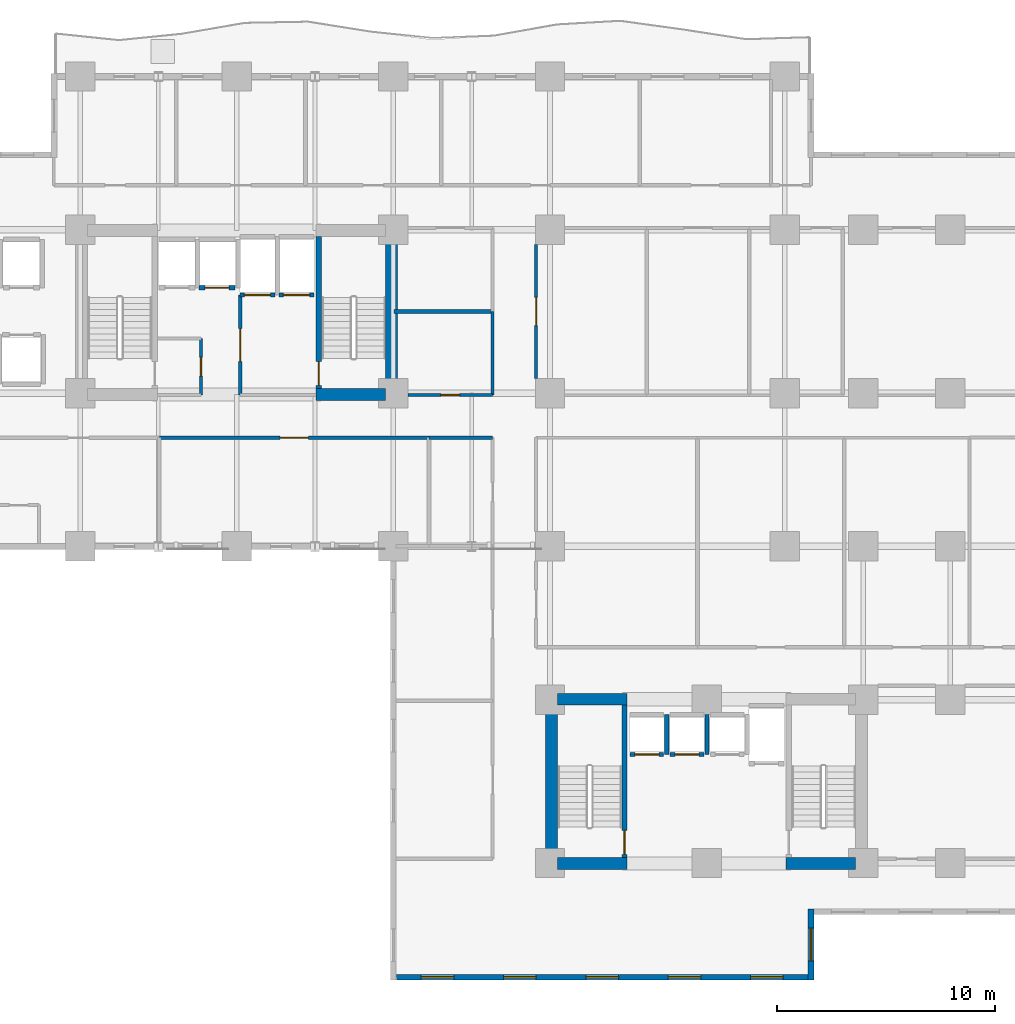
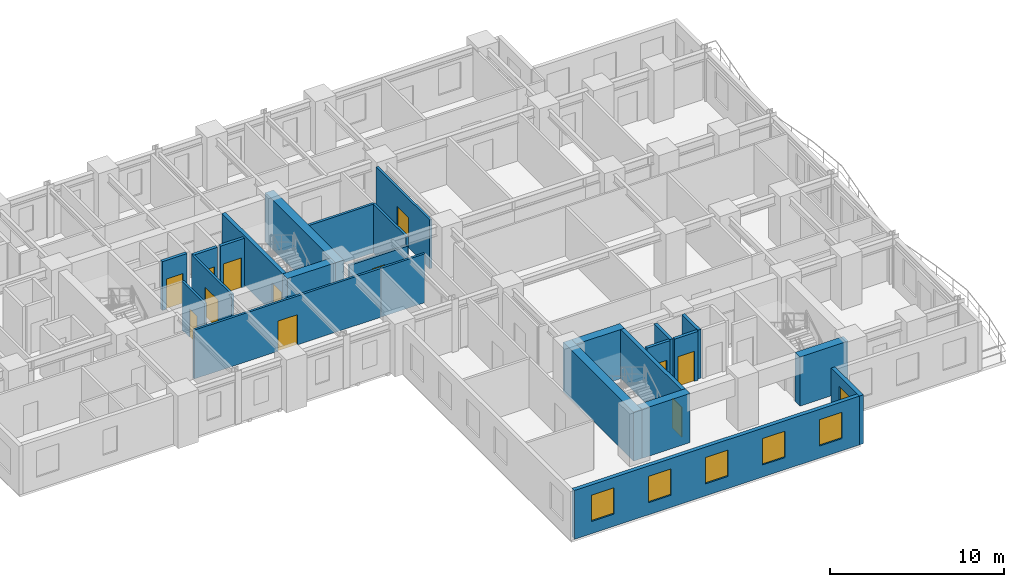
# One storey, part 4 of 11: 25 walls, 12 doors, 6 windows, 18 openings.
"""IFC4 building model written with IfcOpenShell, lengths in metres."""

from ifc_helpers import new_model, si_unit, direction, frame, frame_2d, origin, place, context, subcontext, project, spatial, rectangle, extrude, material, layer, layer_set, type_object, element, fill, save


model = new_model("IFC4")

# Units and contexts
model_context = context("Model", 3, precision=1e-05, world=origin(), true_north=direction((0.0, 1.0)))
body_context = subcontext(model_context, "Body", "Model", "MODEL_VIEW")
ifc_project = project(units=[si_unit("LENGTHUNIT", "METRE"), si_unit("AREAUNIT", "SQUARE_METRE"), si_unit("VOLUMEUNIT", "CUBIC_METRE"), si_unit("PLANEANGLEUNIT", "RADIAN"), si_unit("MASSUNIT", "GRAM", prefix="KILO")], contexts=[model_context])

# Site, building, storey
site_placement = place(None, origin())
site = spatial("IfcSite", under=ifc_project, at=site_placement, CompositionType="ELEMENT")
building_placement = place(site_placement, origin())
building = spatial("IfcBuilding", under=site, at=building_placement, Name="Kaliganga Portal Commons", CompositionType="ELEMENT")
storey_placement = place(building_placement, frame((0.0, 0.0, 58.60009765625)))
storey = spatial("IfcBuildingStorey", under=building, at=storey_placement, Name="L14", CompositionType="ELEMENT", Elevation=58.60009765625)

# Walls
ifc_material_1 = material(Name="Concrete C60/75", Category="concrete")
ifc_layer_1 = layer(ifc_material_1, 0.550048828125)
ifc_layer_set_1 = layer_set([ifc_layer_1], Name="Concrete C60/75")
wall_type_1 = type_object("IfcWallType", Name="WL-CORE-550", PredefinedType="SHEAR", material=ifc_layer_set_1)
wall_1_placement = place(storey_placement, frame((28.72509765625, 28.300048828125, 0.0), z_axis=(0.0, 0.0, 1.0), x_axis=(0.0, 1.0, 0.0)))
element("IfcWall", 1, at=wall_1_placement, inside=storey, type_object=wall_type_1, Name="Core A East Shear Wall L14", PredefinedType="SHEAR", context=body_context, shape_type="SweptSolid", body=[
    extrude(rectangle(XDim=8.099853515625, YDim=0.550048828125, at=frame_2d((4.0498046875, 0.0))), origin(), (0.0, 0.0, 1.0), 3.449951171875),
])
wall_2_placement = place(storey_placement, frame((25.25, 28.574951171875, 0.0), z_axis=(0.0, 0.0, 1.0), x_axis=(1.0, 0.0, 0.0)))
element("IfcWall", 2, at=wall_2_placement, inside=storey, type_object=wall_type_1, Name="Core A S-East Shear Wall L14", PredefinedType="SHEAR", context=body_context, shape_type="SweptSolid", body=[
    extrude(rectangle(XDim=3.199951171875, YDim=0.550048828125, at=frame_2d((1.60009765625, 0.0))), origin(), (0.0, 0.0, 1.0), 3.449951171875),
])
wall_3_placement = place(storey_placement, frame((36.074951171875, 6.75, 0.0), z_axis=(0.0, 0.0, 1.0), x_axis=(0.0, 1.0, 0.0)))
element("IfcWall", 3, at=wall_3_placement, inside=storey, type_object=wall_type_1, Name="Core B West Shear Wall L14", PredefinedType="SHEAR", context=body_context, shape_type="SweptSolid", body=[
    extrude(rectangle(XDim=8.10009765625, YDim=0.550048828125, at=frame_2d((4.050048828125, 0.0))), origin(), (0.0, 0.0, 1.0), 3.449951171875),
])
for number, where, z_axis, x_axis, name in (
    (4, (36.35009765625, 7.02490234375, 0.0), (0.0, 0.0, 1.0), (1.0, 0.0, 0.0), "Core B S-West Shear Wall L14"),
    (5, (46.85009765625, 7.02490234375, 0.0), (0.0, 0.0, 1.0), (1.0, 0.0, 0.0), "Core B S-East Shear Wall L14"),
    (6, (36.35009765625, 14.574951171875, 0.0), (0.0, 0.0, 1.0), (1.0, 0.0, 0.0), "Core B N-West Shear Wall L14"),
):
    element("IfcWall", number, at=place(storey_placement, frame(where, z_axis=z_axis, x_axis=x_axis)), inside=storey, type_object=wall_type_1, Name=name, PredefinedType="SHEAR", context=body_context, shape_type="SweptSolid", body=[
        extrude(rectangle(XDim=3.199951171875, YDim=0.550048828125, at=frame_2d((1.60009765625, 0.0))), origin(), (0.0, 0.0, 1.0), 3.449951171875),
    ])

# Wall, openings, windows
ifc_material_2 = material(Name="Insulated Aluminium-Clad Spandrel Assembly", Category="aluminium")
ifc_layer_2 = layer(ifc_material_2, 0.260009765625)
ifc_layer_set_2 = layer_set([ifc_layer_2], Name="Insulated Aluminium-Clad Spandrel Assembly")
wall_type_2 = type_object("IfcWallType", Name="WL-EXT-SPAND-260", PredefinedType="STANDARD", material=ifc_layer_set_2)
wall_4_placement = place(storey_placement, frame((47.864990234375, 1.800048828125, 0.0), z_axis=(0.0, 0.0, 1.0), x_axis=(-1.0, 0.0, 0.0)))
wall_4 = element("IfcWall", 7, at=wall_4_placement, inside=storey, type_object=wall_type_2, Name="Exterior Envelope Wall L14 P1-E00-S1", PredefinedType="STANDARD", context=body_context, shape_type="SweptSolid", body=[
    extrude(rectangle(XDim=18.929931640625, YDim=0.260009765625, at=frame_2d((9.46484375, 0.0))), origin(), (0.0, 0.0, 1.0), 3.429931640625),
])
opening_1_placement = place(wall_4_placement, frame((1.14306640625, 0.0, 0.85009765625)))
opening_1 = element("IfcOpeningElement", 8, at=opening_1_placement, cuts=wall_4, Name="Opening W-02", PredefinedType="OPENING", context=body_context, shape_type="SweptSolid", body=[
    extrude(rectangle(XDim=1.5, YDim=1.85009765625, at=frame_2d((0.75, 0.925048828125))), frame((0.0, 0.14013671875, 0.0), z_axis=(0.0, -1.0, 0.0), x_axis=(1.0, 0.0, 0.0)), (0.0, 0.0, 1.0), 0.280029296875),
])
opening_2_placement = place(wall_4_placement, frame((4.928955078125, 0.0, 0.85009765625)))
opening_2 = element("IfcOpeningElement", 9, at=opening_2_placement, cuts=wall_4, Name="Opening W-02", PredefinedType="OPENING", context=body_context, shape_type="SweptSolid", body=[
    extrude(rectangle(XDim=1.5, YDim=1.85009765625, at=frame_2d((0.75, 0.925048828125))), frame((0.0, 0.14013671875, 0.0), z_axis=(0.0, -1.0, 0.0), x_axis=(1.0, 0.0, 0.0)), (0.0, 0.0, 1.0), 0.280029296875),
])
opening_3_placement = place(wall_4_placement, frame((8.715087890625, 0.0, 0.85009765625)))
opening_3 = element("IfcOpeningElement", 10, at=opening_3_placement, cuts=wall_4, Name="Opening W-02", PredefinedType="OPENING", context=body_context, shape_type="SweptSolid", body=[
    extrude(rectangle(XDim=1.5, YDim=1.85009765625, at=frame_2d((0.75, 0.925048828125))), frame((0.0, 0.14013671875, 0.0), z_axis=(0.0, -1.0, 0.0), x_axis=(1.0, 0.0, 0.0)), (0.0, 0.0, 1.0), 0.280029296875),
])
opening_4_placement = place(wall_4_placement, frame((12.5009765625, 0.0, 0.85009765625)))
opening_4 = element("IfcOpeningElement", 11, at=opening_4_placement, cuts=wall_4, Name="Opening W-02", PredefinedType="OPENING", context=body_context, shape_type="SweptSolid", body=[
    extrude(rectangle(XDim=1.5, YDim=1.85009765625, at=frame_2d((0.75, 0.925048828125))), frame((0.0, 0.14013671875, 0.0), z_axis=(0.0, -1.0, 0.0), x_axis=(1.0, 0.0, 0.0)), (0.0, 0.0, 1.0), 0.280029296875),
])
opening_5_placement = place(wall_4_placement, frame((16.287109375, 0.0, 0.85009765625)))
opening_5 = element("IfcOpeningElement", 12, at=opening_5_placement, cuts=wall_4, Name="Opening W-02", PredefinedType="OPENING", context=body_context, shape_type="SweptSolid", body=[
    extrude(rectangle(XDim=1.5, YDim=1.85009765625, at=frame_2d((0.75, 0.925048828125))), frame((0.0, 0.14013671875, 0.0), z_axis=(0.0, -1.0, 0.0), x_axis=(1.0, 0.0, 0.0)), (0.0, 0.0, 1.0), 0.280029296875),
])
ifc_material_3 = material(Name="Thermally Broken Aluminium and Low-E Double Glazing", Category="aluminium")
window_type = type_object("IfcWindowType", Name="WIN-STD-1500", PartitioningType="DOUBLE_PANEL_VERTICAL", PredefinedType="WINDOW", material=ifc_material_3)
window_1_placement = place(opening_1_placement, origin())
window_1 = element("IfcWindow", 13, at=window_1_placement, inside=storey, type_object=window_type, Name="Facade Window L14-P1E00S1-00", OverallHeight=1.85009765625, OverallWidth=1.5, PartitioningType="SINGLE_PANEL", PredefinedType="WINDOW", context=body_context, shape_type="SweptSolid", body=[
    extrude(rectangle(XDim=1.5, YDim=1.85009765625, at=frame_2d((0.75, 0.925048828125))), frame((0.0, 0.030029296875, 0.0), z_axis=(0.0, -1.0, 0.0), x_axis=(1.0, 0.0, 0.0)), (0.0, 0.0, 1.0), 0.06005859375),
])
fill(opening_1, window_1)
window_2_placement = place(opening_2_placement, origin())
window_2 = element("IfcWindow", 14, at=window_2_placement, inside=storey, type_object=window_type, Name="Facade Window L14-P1E00S1-01", OverallHeight=1.85009765625, OverallWidth=1.5, PartitioningType="SINGLE_PANEL", PredefinedType="WINDOW", context=body_context, shape_type="SweptSolid", body=[
    extrude(rectangle(XDim=1.5, YDim=1.85009765625, at=frame_2d((0.75, 0.925048828125))), frame((0.0, 0.030029296875, 0.0), z_axis=(0.0, -1.0, 0.0), x_axis=(1.0, 0.0, 0.0)), (0.0, 0.0, 1.0), 0.06005859375),
])
fill(opening_2, window_2)
window_3_placement = place(opening_3_placement, origin())
window_3 = element("IfcWindow", 15, at=window_3_placement, inside=storey, type_object=window_type, Name="Facade Window L14-P1E00S1-02", OverallHeight=1.85009765625, OverallWidth=1.5, PartitioningType="SINGLE_PANEL", PredefinedType="WINDOW", context=body_context, shape_type="SweptSolid", body=[
    extrude(rectangle(XDim=1.5, YDim=1.85009765625, at=frame_2d((0.75, 0.925048828125))), frame((0.0, 0.030029296875, 0.0), z_axis=(0.0, -1.0, 0.0), x_axis=(1.0, 0.0, 0.0)), (0.0, 0.0, 1.0), 0.06005859375),
])
fill(opening_3, window_3)
window_4_placement = place(opening_4_placement, origin())
window_4 = element("IfcWindow", 16, at=window_4_placement, inside=storey, type_object=window_type, Name="Facade Window L14-P1E00S1-03", OverallHeight=1.85009765625, OverallWidth=1.5, PartitioningType="SINGLE_PANEL", PredefinedType="WINDOW", context=body_context, shape_type="SweptSolid", body=[
    extrude(rectangle(XDim=1.5, YDim=1.85009765625, at=frame_2d((0.75, 0.925048828125))), frame((0.0, 0.030029296875, 0.0), z_axis=(0.0, -1.0, 0.0), x_axis=(1.0, 0.0, 0.0)), (0.0, 0.0, 1.0), 0.06005859375),
])
fill(opening_4, window_4)
window_5_placement = place(opening_5_placement, origin())
window_5 = element("IfcWindow", 17, at=window_5_placement, inside=storey, type_object=window_type, Name="Facade Window L14-P1E00S1-04", OverallHeight=1.85009765625, OverallWidth=1.5, PartitioningType="SINGLE_PANEL", PredefinedType="WINDOW", context=body_context, shape_type="SweptSolid", body=[
    extrude(rectangle(XDim=1.5, YDim=1.85009765625, at=frame_2d((0.75, 0.925048828125))), frame((0.0, 0.030029296875, 0.0), z_axis=(0.0, -1.0, 0.0), x_axis=(1.0, 0.0, 0.0)), (0.0, 0.0, 1.0), 0.06005859375),
])
fill(opening_5, window_5)

# Wall, opening, window
wall_5_placement = place(storey_placement, frame((48.0, 4.929931640625, 0.0), z_axis=(0.0, 0.0, 1.0), x_axis=(0.0, -1.0, 0.0)))
wall_5 = element("IfcWall", 18, at=wall_5_placement, inside=storey, type_object=wall_type_2, Name="Exterior Envelope Wall L14 P1-E01-S1", PredefinedType="STANDARD", context=body_context, shape_type="SweptSolid", body=[
    extrude(rectangle(XDim=3.260009765625, YDim=0.260009765625, at=frame_2d((1.6298828125, 0.0))), origin(), (0.0, 0.0, 1.0), 3.429931640625),
])
opening_6_placement = place(wall_5_placement, frame((0.8798828125, 0.0, 0.85009765625)))
opening_6 = element("IfcOpeningElement", 19, at=opening_6_placement, cuts=wall_5, Name="Opening W-02", PredefinedType="OPENING", context=body_context, shape_type="SweptSolid", body=[
    extrude(rectangle(XDim=1.5, YDim=1.85009765625, at=frame_2d((0.75, 0.925048828125))), frame((0.0, 0.14013671875, 0.0), z_axis=(0.0, -1.0, 0.0), x_axis=(1.0, 0.0, 0.0)), (0.0, 0.0, 1.0), 0.280029296875),
])
window_6_placement = place(opening_6_placement, origin())
window_6 = element("IfcWindow", 20, at=window_6_placement, inside=storey, type_object=window_type, Name="Facade Window L14-P1E01S1-00", OverallHeight=1.85009765625, OverallWidth=1.5, PartitioningType="SINGLE_PANEL", PredefinedType="WINDOW", context=body_context, shape_type="SweptSolid", body=[
    extrude(rectangle(XDim=1.5, YDim=1.85009765625, at=frame_2d((0.75, 0.925048828125))), frame((0.0, 0.030029296875, 0.0), z_axis=(0.0, -1.0, 0.0), x_axis=(1.0, 0.0, 0.0)), (0.0, 0.0, 1.0), 0.06005859375),
])
fill(opening_6, window_6)

# Wall, opening, door
ifc_material_4 = material(Name="Fire-Rated Gypsum Board on Steel Stud", Category="steel")
ifc_layer_3 = layer(ifc_material_4, 0.14990234375)
ifc_layer_set_3 = layer_set([ifc_layer_3], Name="Fire-Rated Gypsum Board on Steel Stud")
wall_type_3 = type_object("IfcWallType", Name="WL-PART-CORR-150", PredefinedType="PARTITIONING", material=ifc_layer_set_3)
wall_6_placement = place(storey_placement, frame((18.0400390625, 26.60009765625, 0.0), z_axis=(0.0, 0.0, 1.0), x_axis=(1.0, 0.0, 0.0)))
wall_6 = element("IfcWall", 21, at=wall_6_placement, inside=storey, type_object=wall_type_3, Name="Interior Partition L14-006", PredefinedType="PARTITIONING", context=body_context, shape_type="SweptSolid", body=[
    extrude(rectangle(XDim=12.39990234375, YDim=0.14990234375, at=frame_2d((6.199951171875, 0.0))), origin(), (0.0, 0.0, 1.0), 3.429931640625),
])
opening_7_placement = place(wall_6_placement, frame((5.550048828125, 0.0, 0.0)))
opening_7 = element("IfcOpeningElement", 22, at=opening_7_placement, cuts=wall_6, Name="Opening RD-03", PredefinedType="OPENING", context=body_context, shape_type="SweptSolid", body=[
    extrude(rectangle(XDim=1.300048828125, YDim=2.1201171875, at=frame_2d((0.64990234375, 1.06005859375))), frame((0.0, 0.0849609375, 0.0), z_axis=(0.0, -1.0, 0.0), x_axis=(1.0, 0.0, 0.0)), (0.0, 0.0, 1.0), 0.169921875),
])
ifc_material_5 = material(Name="Glazed Timber Seminar Vision Door", Category="wood")
door_type_1 = type_object("IfcDoorType", Name="DR-STUDY-1300", OperationType="DOUBLE_DOOR_SINGLE_SWING", PredefinedType="DOOR", material=ifc_material_5)
door_1_placement = place(opening_7_placement, origin())
door_1 = element("IfcDoor", 23, at=door_1_placement, inside=storey, type_object=door_type_1, Name="Interior Door L14-AS03", OperationType="DOUBLE_DOOR_SINGLE_SWING", OverallHeight=2.1201171875, OverallWidth=1.300048828125, PredefinedType="DOOR", context=body_context, shape_type="SweptSolid", body=[
    extrude(rectangle(XDim=1.300048828125, YDim=2.1201171875, at=frame_2d((0.64990234375, 1.06005859375))), frame((0.0, 0.02490234375, 0.0), z_axis=(0.0, -1.0, 0.0), x_axis=(1.0, 0.0, 0.0)), (0.0, 0.0, 1.0), 0.050048828125),
])
fill(opening_7, door_1)

wall_7_placement = place(storey_placement, frame((35.360107421875, 29.324951171875, 0.0), z_axis=(0.0, 0.0, 1.0), x_axis=(0.0, 1.0, 0.0)))
wall_7 = element("IfcWall", 24, at=wall_7_placement, inside=storey, type_object=wall_type_3, Name="Interior Partition L14-012", PredefinedType="PARTITIONING", context=body_context, shape_type="SweptSolid", body=[
    extrude(rectangle(XDim=6.150146484375, YDim=0.14990234375, at=frame_2d((3.0751953125, 0.0))), origin(), (0.0, 0.0, 1.0), 3.429931640625),
])
opening_8_placement = place(wall_7_placement, frame((2.425048828125, 0.0, 0.0)))
opening_8 = element("IfcOpeningElement", 25, at=opening_8_placement, cuts=wall_7, Name="Opening RD-03", PredefinedType="OPENING", context=body_context, shape_type="SweptSolid", body=[
    extrude(rectangle(XDim=1.300048828125, YDim=2.1201171875, at=frame_2d((0.64990234375, 1.06005859375))), frame((0.0, 0.0849609375, 0.0), z_axis=(0.0, -1.0, 0.0), x_axis=(1.0, 0.0, 0.0)), (0.0, 0.0, 1.0), 0.169921875),
])
door_2_placement = place(opening_8_placement, origin())
door_2 = element("IfcDoor", 26, at=door_2_placement, inside=storey, type_object=door_type_1, Name="Interior Door L14-BK01", OperationType="DOUBLE_DOOR_SINGLE_SWING", OverallHeight=2.1201171875, OverallWidth=1.300048828125, PredefinedType="DOOR", context=body_context, shape_type="SweptSolid", body=[
    extrude(rectangle(XDim=1.300048828125, YDim=2.1201171875, at=frame_2d((0.64990234375, 1.06005859375))), frame((0.0, 0.02490234375, 0.0), z_axis=(0.0, -1.0, 0.0), x_axis=(1.0, 0.0, 0.0)), (0.0, 0.0, 1.0), 0.050048828125),
])
fill(opening_8, door_2)

wall_8_placement = place(storey_placement, frame((29.47509765625, 28.56005859375, 0.0), z_axis=(0.0, 0.0, 1.0), x_axis=(1.0, 0.0, 0.0)))
wall_8 = element("IfcWall", 27, at=wall_8_placement, inside=storey, type_object=wall_type_3, Name="Interior Partition L14-034", PredefinedType="PARTITIONING", context=body_context, shape_type="SweptSolid", body=[
    extrude(rectangle(XDim=3.885009765625, YDim=0.14990234375, at=frame_2d((1.9423828125, 0.0))), origin(), (0.0, 0.0, 1.0), 2.77978515625),
])
opening_9_placement = place(wall_8_placement, frame((1.512451171875, 0.0, 0.0)))
opening_9 = element("IfcOpeningElement", 28, at=opening_9_placement, cuts=wall_8, Name="Opening WD-02", PredefinedType="OPENING", context=body_context, shape_type="SweptSolid", body=[
    extrude(rectangle(XDim=0.860107421875, YDim=2.02001953125, at=frame_2d((0.43017578125, 1.010009765625))), frame((0.0, 0.0849609375, 0.0), z_axis=(0.0, -1.0, 0.0), x_axis=(1.0, 0.0, 0.0)), (0.0, 0.0, 1.0), 0.169921875),
])
ifc_material_6 = material(Name="Fire-Rated Utility Closet Door", Category="wood")
door_type_2 = type_object("IfcDoorType", Name="DR-STORE-800", OperationType="NOTDEFINED", PredefinedType="DOOR", material=ifc_material_6)
door_3_placement = place(opening_9_placement, origin())
door_3 = element("IfcDoor", 29, at=door_3_placement, inside=storey, type_object=door_type_2, Name="Interior Door L14-CSRV_A1", OperationType="SINGLE_SWING_LEFT", OverallHeight=2.02001953125, OverallWidth=0.860107421875, PredefinedType="DOOR", context=body_context, shape_type="SweptSolid", body=[
    extrude(rectangle(XDim=0.860107421875, YDim=2.02001953125, at=frame_2d((0.43017578125, 1.010009765625))), frame((0.0, 0.02490234375, 0.0), z_axis=(0.0, -1.0, 0.0), x_axis=(1.0, 0.0, 0.0)), (0.0, 0.0, 1.0), 0.050048828125),
])
fill(opening_9, door_3)

# Walls
wall_9_placement = place(storey_placement, frame((33.360107421875, 28.56005859375, 0.0), z_axis=(0.0, 0.0, 1.0), x_axis=(0.0, 1.0, 0.0)))
element("IfcWall", 30, at=wall_9_placement, inside=storey, type_object=wall_type_3, Name="Interior Partition L14-041", PredefinedType="PARTITIONING", context=body_context, shape_type="SweptSolid", body=[
    extrude(rectangle(XDim=3.83984375, YDim=0.14990234375, at=frame_2d((1.919921875, 0.0))), origin(), (0.0, 0.0, 1.0), 3.429931640625),
])
wall_10_placement = place(storey_placement, frame((30.43994140625, 26.60009765625, 0.0), z_axis=(0.0, 0.0, 1.0), x_axis=(1.0, 0.0, 0.0)))
element("IfcWall", 31, at=wall_10_placement, inside=storey, type_object=wall_type_3, Name="Interior Partition L14-042", PredefinedType="PARTITIONING", context=body_context, shape_type="SweptSolid", body=[
    extrude(rectangle(XDim=2.920166015625, YDim=0.14990234375, at=frame_2d((1.4599609375, 0.0))), origin(), (0.0, 0.0, 1.0), 3.429931640625),
])

# Wall, opening, door
wall_11_placement = place(storey_placement, frame((19.9599609375, 28.56005859375, 0.0), z_axis=(0.0, 0.0, 1.0), x_axis=(0.0, 1.0, 0.0)))
wall_11 = element("IfcWall", 32, at=wall_11_placement, inside=storey, type_object=wall_type_3, Name="Interior Partition L14-043", PredefinedType="PARTITIONING", context=body_context, shape_type="SweptSolid", body=[
    extrude(rectangle(XDim=2.599853515625, YDim=0.14990234375, at=frame_2d((1.2998046875, 0.0))), origin(), (0.0, 0.0, 1.0), 3.429931640625),
])
opening_10_placement = place(wall_11_placement, frame((0.8701171875, 0.0, 0.0)))
opening_10 = element("IfcOpeningElement", 33, at=opening_10_placement, cuts=wall_11, Name="Opening WD-02", PredefinedType="OPENING", context=body_context, shape_type="SweptSolid", body=[
    extrude(rectangle(XDim=0.860107421875, YDim=2.02001953125, at=frame_2d((0.43017578125, 1.010009765625))), frame((0.0, 0.0849609375, 0.0), z_axis=(0.0, -1.0, 0.0), x_axis=(1.0, 0.0, 0.0)), (0.0, 0.0, 1.0), 0.169921875),
])
door_4_placement = place(opening_10_placement, origin())
door_4 = element("IfcDoor", 34, at=door_4_placement, inside=storey, type_object=door_type_2, Name="Interior Door L14-CIN_A1", OperationType="SINGLE_SWING_RIGHT", OverallHeight=2.02001953125, OverallWidth=0.860107421875, PredefinedType="DOOR", context=body_context, shape_type="SweptSolid", body=[
    extrude(rectangle(XDim=0.860107421875, YDim=2.02001953125, at=frame_2d((0.43017578125, 1.010009765625))), frame((0.0, 0.02490234375, 0.0), z_axis=(0.0, -1.0, 0.0), x_axis=(1.0, 0.0, 0.0)), (0.0, 0.0, 1.0), 0.050048828125),
])
fill(opening_10, door_4)

wall_12_placement = place(storey_placement, frame((21.760009765625, 28.56005859375, 0.0), z_axis=(0.0, 0.0, 1.0), x_axis=(0.0, 1.0, 0.0)))
wall_12 = element("IfcWall", 35, at=wall_12_placement, inside=storey, type_object=wall_type_3, Name="Interior Partition L14-073", PredefinedType="PARTITIONING", context=body_context, shape_type="SweptSolid", body=[
    extrude(rectangle(XDim=4.599853515625, YDim=0.14990234375, at=frame_2d((2.2998046875, 0.0))), origin(), (0.0, 0.0, 1.0), 3.429931640625),
])
opening_11_placement = place(wall_12_placement, frame((1.550048828125, 0.0, 0.0)))
opening_11 = element("IfcOpeningElement", 36, at=opening_11_placement, cuts=wall_12, Name="Opening FD-01", PredefinedType="OPENING", context=body_context, shape_type="SweptSolid", body=[
    extrude(rectangle(XDim=1.5, YDim=2.10009765625, at=frame_2d((0.75, 1.050048828125))), frame((0.0, 0.0849609375, 0.0), z_axis=(0.0, -1.0, 0.0), x_axis=(1.0, 0.0, 0.0)), (0.0, 0.0, 1.0), 0.169921875),
])
ifc_material_7 = material(Name="Fire-Rated Hardwood and Georgian-Wired Vision Panel", Category="wood")
door_type_3 = type_object("IfcDoorType", Name="DR-LOBBY-1500", OperationType="DOUBLE_DOOR_SINGLE_SWING", PredefinedType="DOOR", material=ifc_material_7)
door_5_placement = place(opening_11_placement, origin())
door_5 = element("IfcDoor", 37, at=door_5_placement, inside=storey, type_object=door_type_3, Name="Interior Door L14-FFLOB_A", OperationType="DOUBLE_DOOR_SINGLE_SWING", OverallHeight=2.10009765625, OverallWidth=1.5, PredefinedType="DOOR", context=body_context, shape_type="SweptSolid", body=[
    extrude(rectangle(XDim=1.5, YDim=2.10009765625, at=frame_2d((0.75, 1.050048828125))), frame((0.0, 0.02490234375, 0.0), z_axis=(0.0, -1.0, 0.0), x_axis=(1.0, 0.0, 0.0)), (0.0, 0.0, 1.0), 0.050048828125),
])
fill(opening_11, door_5)

# Wall
ifc_material_8 = material(Name="Twin-Stud Acoustic Gypsum Partition", Category="gypsum")
ifc_layer_4 = layer(ifc_material_8, 0.1650390625)
ifc_layer_set_4 = layer_set([ifc_layer_4], Name="Twin-Stud Acoustic Gypsum Partition")
wall_type_4 = type_object("IfcWallType", Name="WL-PART-UNIT-165", PredefinedType="PARTITIONING", material=ifc_layer_set_4)
wall_13_placement = place(storey_placement, frame((28.840087890625, 32.39990234375, 0.0), z_axis=(0.0, 0.0, 1.0), x_axis=(1.0, 0.0, 0.0)))
element("IfcWall", 38, at=wall_13_placement, inside=storey, type_object=wall_type_4, Name="Interior Partition L14-075", PredefinedType="PARTITIONING", context=body_context, shape_type="SweptSolid", body=[
    extrude(rectangle(XDim=4.52001953125, YDim=0.1650390625, at=frame_2d((2.260009765625, 0.0))), origin(), (0.0, 0.0, 1.0), 3.429931640625),
])

# Wall, opening, door
ifc_material_9 = material(Name="Fire-Rated Shaftwall Masonry Assembly", Category="masonry")
ifc_layer_5 = layer(ifc_material_9, 0.199951171875)
ifc_layer_set_5 = layer_set([ifc_layer_5], Name="Fire-Rated Shaftwall Masonry Assembly")
wall_type_5 = type_object("IfcWallType", Name="WL-SHAFT-200", PredefinedType="PARTITIONING", material=ifc_layer_set_5)
wall_14_placement = place(storey_placement, frame((19.875, 33.485107421875, 0.0), z_axis=(0.0, 0.0, 1.0), x_axis=(1.0, 0.0, 0.0)))
wall_14 = element("IfcWall", 39, at=wall_14_placement, inside=storey, type_object=wall_type_5, Name="Lift PL-A2 Hoistway Shaft Wall L14-S", PredefinedType="PARTITIONING", context=body_context, shape_type="SweptSolid", body=[
    extrude(rectangle(XDim=1.64990234375, YDim=0.199951171875, at=frame_2d((0.824951171875, 0.0))), origin(), (0.0, 0.0, 1.0), 3.429931640625),
])
opening_12_placement = place(wall_14_placement, frame((0.27490234375, 0.0, 0.0)))
opening_12 = element("IfcOpeningElement", 40, at=opening_12_placement, cuts=wall_14, Name="Opening LD-01", PredefinedType="OPENING", context=body_context, shape_type="SweptSolid", body=[
    extrude(rectangle(XDim=1.10009765625, YDim=2.1201171875, at=frame_2d((0.550048828125, 1.06005859375))), frame((0.0, 0.10986328125, 0.0), z_axis=(0.0, -1.0, 0.0), x_axis=(1.0, 0.0, 0.0)), (0.0, 0.0, 1.0), 0.219970703125),
])
ifc_material_10 = material(Name="Brushed Stainless Steel 316 Lift Landing Door", Category="steel")
door_type_4 = type_object("IfcDoorType", Name="DR-LIFT-1100", OperationType="SLIDING_TO_LEFT", PredefinedType="DOOR", material=ifc_material_10)
door_6_placement = place(opening_12_placement, origin())
door_6 = element("IfcDoor", 41, at=door_6_placement, inside=storey, type_object=door_type_4, Name="Lift PL-A2 Sliding Landing Door L14", OperationType="SLIDING_TO_LEFT", OverallHeight=2.1201171875, OverallWidth=1.10009765625, PredefinedType="DOOR", context=body_context, shape_type="SweptSolid", body=[
    extrude(rectangle(XDim=1.10009765625, YDim=2.1201171875, at=frame_2d((0.550048828125, 1.06005859375))), frame((0.0, 0.02490234375, 0.0), z_axis=(0.0, -1.0, 0.0), x_axis=(1.0, 0.0, 0.0)), (0.0, 0.0, 1.0), 0.050048828125),
])
fill(opening_12, door_6)

wall_15_placement = place(storey_placement, frame((21.75, 33.159912109375, 0.0), z_axis=(0.0, 0.0, 1.0), x_axis=(1.0, 0.0, 0.0)))
wall_15 = element("IfcWall", 42, at=wall_15_placement, inside=storey, type_object=wall_type_5, Name="Lift FFL-1 Hoistway Shaft Wall L14-S", PredefinedType="PARTITIONING", context=body_context, shape_type="SweptSolid", body=[
    extrude(rectangle(XDim=1.60009765625, YDim=0.199951171875, at=frame_2d((0.800048828125, 0.0))), origin(), (0.0, 0.0, 1.0), 3.429931640625),
])
opening_13_placement = place(wall_15_placement, frame((0.199951171875, 0.0, 0.0)))
opening_13 = element("IfcOpeningElement", 43, at=opening_13_placement, cuts=wall_15, Name="Opening LD-02", PredefinedType="OPENING", context=body_context, shape_type="SweptSolid", body=[
    extrude(rectangle(XDim=1.199951171875, YDim=2.1201171875, at=frame_2d((0.60009765625, 1.06005859375))), frame((0.0, 0.10986328125, 0.0), z_axis=(0.0, -1.0, 0.0), x_axis=(1.0, 0.0, 0.0)), (0.0, 0.0, 1.0), 0.219970703125),
])
ifc_material_11 = material(Name="Brushed Stainless Steel 316 Stretcher Lift Landing Door", Category="steel")
door_type_5 = type_object("IfcDoorType", Name="DR-LIFT-1200", OperationType="SLIDING_TO_RIGHT", PredefinedType="DOOR", material=ifc_material_11)
door_7_placement = place(opening_13_placement, origin())
door_7 = element("IfcDoor", 44, at=door_7_placement, inside=storey, type_object=door_type_5, Name="Lift FFL-1 Sliding Landing Door L14", OperationType="SLIDING_TO_RIGHT", OverallHeight=2.1201171875, OverallWidth=1.199951171875, PredefinedType="DOOR", context=body_context, shape_type="SweptSolid", body=[
    extrude(rectangle(XDim=1.199951171875, YDim=2.1201171875, at=frame_2d((0.60009765625, 1.06005859375))), frame((0.0, 0.02490234375, 0.0), z_axis=(0.0, -1.0, 0.0), x_axis=(1.0, 0.0, 0.0)), (0.0, 0.0, 1.0), 0.050048828125),
])
fill(opening_13, door_7)

wall_16_placement = place(storey_placement, frame((23.550048828125, 33.159912109375, 0.0), z_axis=(0.0, 0.0, 1.0), x_axis=(1.0, 0.0, 0.0)))
wall_16 = element("IfcWall", 45, at=wall_16_placement, inside=storey, type_object=wall_type_5, Name="Lift FFL-2 Hoistway Shaft Wall L14-S", PredefinedType="PARTITIONING", context=body_context, shape_type="SweptSolid", body=[
    extrude(rectangle(XDim=1.599853515625, YDim=0.199951171875, at=frame_2d((0.7998046875, 0.0))), origin(), (0.0, 0.0, 1.0), 3.429931640625),
])
opening_14_placement = place(wall_16_placement, frame((0.199951171875, 0.0, 0.0)))
opening_14 = element("IfcOpeningElement", 46, at=opening_14_placement, cuts=wall_16, Name="Opening LD-02", PredefinedType="OPENING", context=body_context, shape_type="SweptSolid", body=[
    extrude(rectangle(XDim=1.199951171875, YDim=2.1201171875, at=frame_2d((0.60009765625, 1.06005859375))), frame((0.0, 0.10986328125, 0.0), z_axis=(0.0, -1.0, 0.0), x_axis=(1.0, 0.0, 0.0)), (0.0, 0.0, 1.0), 0.219970703125),
])
door_8_placement = place(opening_14_placement, origin())
door_8 = element("IfcDoor", 47, at=door_8_placement, inside=storey, type_object=door_type_5, Name="Lift FFL-2 Sliding Landing Door L14", OperationType="SLIDING_TO_RIGHT", OverallHeight=2.1201171875, OverallWidth=1.199951171875, PredefinedType="DOOR", context=body_context, shape_type="SweptSolid", body=[
    extrude(rectangle(XDim=1.199951171875, YDim=2.1201171875, at=frame_2d((0.60009765625, 1.06005859375))), frame((0.0, 0.02490234375, 0.0), z_axis=(0.0, -1.0, 0.0), x_axis=(1.0, 0.0, 0.0)), (0.0, 0.0, 1.0), 0.050048828125),
])
fill(opening_14, door_8)

wall_17_placement = place(storey_placement, frame((39.675048828125, 12.034912109375, 0.0), z_axis=(0.0, 0.0, 1.0), x_axis=(1.0, 0.0, 0.0)))
wall_17 = element("IfcWall", 48, at=wall_17_placement, inside=storey, type_object=wall_type_5, Name="Lift PL-B1 Hoistway Shaft Wall L14-S", PredefinedType="PARTITIONING", context=body_context, shape_type="SweptSolid", body=[
    extrude(rectangle(XDim=1.550048828125, YDim=0.199951171875, at=frame_2d((0.77490234375, 0.0))), origin(), (0.0, 0.0, 1.0), 3.429931640625),
])
opening_15_placement = place(wall_17_placement, frame((0.22509765625, 0.0, 0.0)))
opening_15 = element("IfcOpeningElement", 49, at=opening_15_placement, cuts=wall_17, Name="Opening LD-01", PredefinedType="OPENING", context=body_context, shape_type="SweptSolid", body=[
    extrude(rectangle(XDim=1.10009765625, YDim=2.1201171875, at=frame_2d((0.550048828125, 1.06005859375))), frame((0.0, 0.10986328125, 0.0), z_axis=(0.0, -1.0, 0.0), x_axis=(1.0, 0.0, 0.0)), (0.0, 0.0, 1.0), 0.219970703125),
])
door_9_placement = place(opening_15_placement, origin())
door_9 = element("IfcDoor", 50, at=door_9_placement, inside=storey, type_object=door_type_4, Name="Lift PL-B1 Sliding Landing Door L14", OperationType="SLIDING_TO_LEFT", OverallHeight=2.1201171875, OverallWidth=1.10009765625, PredefinedType="DOOR", context=body_context, shape_type="SweptSolid", body=[
    extrude(rectangle(XDim=1.10009765625, YDim=2.1201171875, at=frame_2d((0.550048828125, 1.06005859375))), frame((0.0, 0.02490234375, 0.0), z_axis=(0.0, -1.0, 0.0), x_axis=(1.0, 0.0, 0.0)), (0.0, 0.0, 1.0), 0.050048828125),
])
fill(opening_15, door_9)

# Wall
wall_18_placement = place(storey_placement, frame((41.364990234375, 12.034912109375, 0.0), z_axis=(0.0, 0.0, 1.0), x_axis=(0.0, 1.0, 0.0)))
element("IfcWall", 51, at=wall_18_placement, inside=storey, type_object=wall_type_5, Name="Lift PL-B1 Hoistway Shaft Wall L14-E", PredefinedType="PARTITIONING", context=body_context, shape_type="SweptSolid", body=[
    extrude(rectangle(XDim=1.830078125, YDim=0.199951171875, at=frame_2d((0.9150390625, 0.0))), origin(), (0.0, 0.0, 1.0), 3.429931640625),
])

# Wall, opening, door
wall_19_placement = place(storey_placement, frame((41.52490234375, 12.034912109375, 0.0), z_axis=(0.0, 0.0, 1.0), x_axis=(1.0, 0.0, 0.0)))
wall_19 = element("IfcWall", 52, at=wall_19_placement, inside=storey, type_object=wall_type_5, Name="Lift PL-B2 Hoistway Shaft Wall L14-S", PredefinedType="PARTITIONING", context=body_context, shape_type="SweptSolid", body=[
    extrude(rectangle(XDim=1.550048828125, YDim=0.199951171875, at=frame_2d((0.77490234375, 0.0))), origin(), (0.0, 0.0, 1.0), 3.429931640625),
])
opening_16_placement = place(wall_19_placement, frame((0.22509765625, 0.0, 0.0)))
opening_16 = element("IfcOpeningElement", 53, at=opening_16_placement, cuts=wall_19, Name="Opening LD-01", PredefinedType="OPENING", context=body_context, shape_type="SweptSolid", body=[
    extrude(rectangle(XDim=1.10009765625, YDim=2.1201171875, at=frame_2d((0.550048828125, 1.06005859375))), frame((0.0, 0.10986328125, 0.0), z_axis=(0.0, -1.0, 0.0), x_axis=(1.0, 0.0, 0.0)), (0.0, 0.0, 1.0), 0.219970703125),
])
door_10_placement = place(opening_16_placement, origin())
door_10 = element("IfcDoor", 54, at=door_10_placement, inside=storey, type_object=door_type_4, Name="Lift PL-B2 Sliding Landing Door L14", OperationType="SLIDING_TO_LEFT", OverallHeight=2.1201171875, OverallWidth=1.10009765625, PredefinedType="DOOR", context=body_context, shape_type="SweptSolid", body=[
    extrude(rectangle(XDim=1.10009765625, YDim=2.1201171875, at=frame_2d((0.550048828125, 1.06005859375))), frame((0.0, 0.02490234375, 0.0), z_axis=(0.0, -1.0, 0.0), x_axis=(1.0, 0.0, 0.0)), (0.0, 0.0, 1.0), 0.050048828125),
])
fill(opening_16, door_10)

# Wall
wall_20_placement = place(storey_placement, frame((43.215087890625, 12.034912109375, 0.0), z_axis=(0.0, 0.0, 1.0), x_axis=(0.0, 1.0, 0.0)))
element("IfcWall", 55, at=wall_20_placement, inside=storey, type_object=wall_type_5, Name="Lift PL-B2 Hoistway Shaft Wall L14-E", PredefinedType="PARTITIONING", context=body_context, shape_type="SweptSolid", body=[
    extrude(rectangle(XDim=1.830078125, YDim=0.199951171875, at=frame_2d((0.9150390625, 0.0))), origin(), (0.0, 0.0, 1.0), 3.429931640625),
])

# Wall, opening, door
ifc_material_12 = material(Name="Concrete C50/60", Category="concrete")
ifc_layer_6 = layer(ifc_material_12, 0.25)
ifc_layer_set_6 = layer_set([ifc_layer_6], Name="Concrete C50/60")
wall_type_6 = type_object("IfcWallType", Name="WL-STAIR-250", PredefinedType="SHEAR", material=ifc_layer_set_6)
wall_21_placement = place(storey_placement, frame((25.375, 28.85009765625, 0.0), z_axis=(0.0, 0.0, 1.0), x_axis=(0.0, 1.0, 0.0)))
wall_21 = element("IfcWall", 56, at=wall_21_placement, inside=storey, type_object=wall_type_6, Name="Stair A2 Enclosure Shear Wall L14", PredefinedType="SHEAR", context=body_context, shape_type="SweptSolid", body=[
    extrude(rectangle(XDim=7.0, YDim=0.25, at=frame_2d((3.5, 0.0))), origin(), (0.0, 0.0, 1.0), 3.449951171875),
])
opening_17_placement = place(wall_21_placement, frame((0.14990234375, 0.0, 0.0)))
opening_17 = element("IfcOpeningElement", 57, at=opening_17_placement, cuts=wall_21, Name="Opening SD-01", PredefinedType="OPENING", context=body_context, shape_type="SweptSolid", body=[
    extrude(rectangle(XDim=1.10009765625, YDim=2.080078125, at=frame_2d((0.550048828125, 1.0400390625))), frame((0.0, 0.135009765625, 0.0), z_axis=(0.0, -1.0, 0.0), x_axis=(1.0, 0.0, 0.0)), (0.0, 0.0, 1.0), 0.27001953125),
])
ifc_material_13 = material(Name="Galvanized Steel Fire Door Leaf and Frame", Category="steel")
door_type_6 = type_object("IfcDoorType", Name="DR-STAIR-1100", OperationType="NOTDEFINED", PredefinedType="DOOR", material=ifc_material_13)
door_11_placement = place(opening_17_placement, origin())
door_11 = element("IfcDoor", 58, at=door_11_placement, inside=storey, type_object=door_type_6, Name="Protected Stair ST-A2 Fire Door L14", OperationType="SINGLE_SWING_LEFT", OverallHeight=2.080078125, OverallWidth=1.10009765625, PredefinedType="DOOR", context=body_context, shape_type="SweptSolid", body=[
    extrude(rectangle(XDim=1.10009765625, YDim=2.080078125, at=frame_2d((0.550048828125, 1.0400390625))), frame((0.0, 0.02490234375, 0.0), z_axis=(0.0, -1.0, 0.0), x_axis=(1.0, 0.0, 0.0)), (0.0, 0.0, 1.0), 0.050048828125),
])
fill(opening_17, door_11)

wall_22_placement = place(storey_placement, frame((39.425048828125, 7.300048828125, 0.0), z_axis=(0.0, 0.0, 1.0), x_axis=(0.0, 1.0, 0.0)))
wall_22 = element("IfcWall", 59, at=wall_22_placement, inside=storey, type_object=wall_type_6, Name="Stair B1 Enclosure Shear Wall L14", PredefinedType="SHEAR", context=body_context, shape_type="SweptSolid", body=[
    extrude(rectangle(XDim=7.0, YDim=0.25, at=frame_2d((3.5, 0.0))), origin(), (0.0, 0.0, 1.0), 3.449951171875),
])
opening_18_placement = place(wall_22_placement, frame((0.14990234375, 0.0, 0.0)))
opening_18 = element("IfcOpeningElement", 60, at=opening_18_placement, cuts=wall_22, Name="Opening SD-01", PredefinedType="OPENING", context=body_context, shape_type="SweptSolid", body=[
    extrude(rectangle(XDim=1.10009765625, YDim=2.080078125, at=frame_2d((0.550048828125, 1.0400390625))), frame((0.0, 0.135009765625, 0.0), z_axis=(0.0, -1.0, 0.0), x_axis=(1.0, 0.0, 0.0)), (0.0, 0.0, 1.0), 0.27001953125),
])
door_12_placement = place(opening_18_placement, origin())
door_12 = element("IfcDoor", 61, at=door_12_placement, inside=storey, type_object=door_type_6, Name="Protected Stair ST-B1 Fire Door L14", OperationType="SINGLE_SWING_RIGHT", OverallHeight=2.080078125, OverallWidth=1.10009765625, PredefinedType="DOOR", context=body_context, shape_type="SweptSolid", body=[
    extrude(rectangle(XDim=1.10009765625, YDim=2.080078125, at=frame_2d((0.550048828125, 1.0400390625))), frame((0.0, 0.02490234375, 0.0), z_axis=(0.0, -1.0, 0.0), x_axis=(1.0, 0.0, 0.0)), (0.0, 0.0, 1.0), 0.050048828125),
])
fill(opening_18, door_12)

save(model, "model.ifc")
